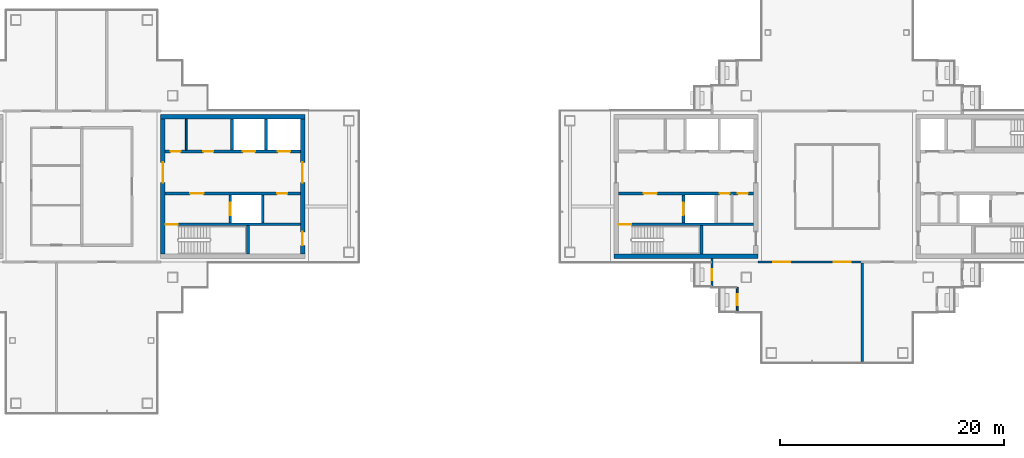
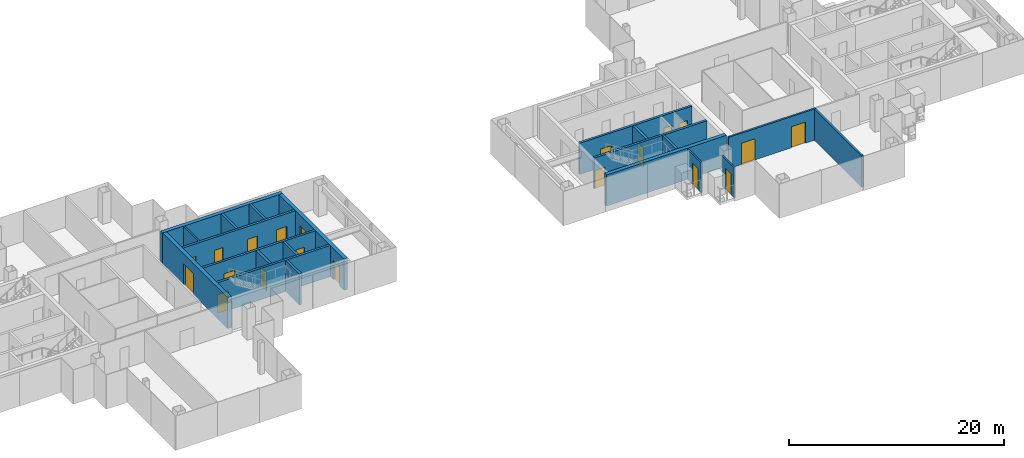
# One storey, part 10 of 16: 21 walls, 20 doors, 20 openings.
"""IFC4 building model written with IfcOpenShell, lengths in metres."""

from ifc_helpers import new_model, si_unit, direction, frame, frame_2d, origin, place, context, subcontext, project, spatial, rectangle, extrude, material, layer, layer_set, type_object, element, fill, save


model = new_model("IFC4")

# Units and contexts
model_context = context("Model", 3, precision=1e-05, world=origin(), true_north=direction((0.0, 1.0)))
body_context = subcontext(model_context, "Body", "Model", "MODEL_VIEW")
ifc_project = project(units=[si_unit("LENGTHUNIT", "METRE"), si_unit("AREAUNIT", "SQUARE_METRE"), si_unit("VOLUMEUNIT", "CUBIC_METRE"), si_unit("PLANEANGLEUNIT", "RADIAN"), si_unit("MASSUNIT", "GRAM", prefix="KILO")], contexts=[model_context])

# Site, building, storey
site_placement = place(None, origin())
site = spatial("IfcSite", under=ifc_project, at=site_placement, CompositionType="ELEMENT")
building_placement = place(site_placement, origin())
building = spatial("IfcBuilding", under=site, at=building_placement, Name="Shamsa Quay Exchange Towers", CompositionType="ELEMENT")
storey_placement = place(building_placement, frame((0.0, 0.0, 242.10009765625)))
storey = spatial("IfcBuildingStorey", under=building, at=storey_placement, Name="L58", CompositionType="ELEMENT", Elevation=242.10009765625)

# Wall, openings, doors
ifc_material_1 = material(Name="Double-leaf gypsum board partition with acoustic insulation")
ifc_layer_1 = layer(ifc_material_1, 0.199951171875)
ifc_layer_set_1 = layer_set([ifc_layer_1], Name="Acoustic partition 200 mm EI 60")
wall_type_1 = type_object("IfcWallType", Name="Acoustic partition 200 mm EI 60", PredefinedType="PARTITIONING", material=ifc_layer_set_1)
wall_1_placement = place(storey_placement, frame((26.699951171875, -6.75, 0.0)))
wall_1 = element("IfcWall", 1, at=wall_1_placement, inside=storey, type_object=wall_type_1, Name="Partition T2-R26-W07", PredefinedType="PARTITIONING", context=body_context, shape_type="SweptSolid", body=[
    extrude(rectangle(XDim=9.400146484375, YDim=0.199951171875, at=frame_2d((4.7001953125, 0.0))), origin(), (0.0, 0.0, 1.0), 3.5498046875),
])
opening_1_placement = place(wall_1_placement, frame((6.75, 0.0, 0.0)))
opening_1 = element("IfcOpeningElement", 2, at=opening_1_placement, cuts=wall_1, Name="Opening T2-R26-D03", PredefinedType="OPENING", context=body_context, shape_type="SweptSolid", body=[
    extrude(rectangle(XDim=1.5, YDim=2.39990234375, at=frame_2d((0.75, 1.199951171875))), frame((0.0, 0.10986328125, 0.0), z_axis=(0.0, -1.0, 0.0), x_axis=(1.0, 0.0, 0.0)), (0.0, 0.0, 1.0), 0.219970703125),
])
opening_2_placement = place(wall_1_placement, frame((1.35009765625, 0.0, 0.0)))
opening_2 = element("IfcOpeningElement", 3, at=opening_2_placement, cuts=wall_1, Name="Opening T2-R26-D05", PredefinedType="OPENING", context=body_context, shape_type="SweptSolid", body=[
    extrude(rectangle(XDim=1.5, YDim=2.39990234375, at=frame_2d((0.75, 1.199951171875))), frame((0.0, 0.10986328125, 0.0), z_axis=(0.0, -1.0, 0.0), x_axis=(1.0, 0.0, 0.0)), (0.0, 0.0, 1.0), 0.219970703125),
])
ifc_material_2 = material(Name="Timber door leaf in a metal frame", Category="wood")
door_type_1 = type_object("IfcDoorType", Name="Door 1500x2400 FD30S pair", OperationType="NOTDEFINED", PredefinedType="DOOR", material=ifc_material_2)
door_1_placement = place(opening_1_placement, origin())
door_1 = element("IfcDoor", 4, at=door_1_placement, inside=storey, type_object=door_type_1, Name="Door T2-R26-D03", OperationType="DOUBLE_DOOR_SINGLE_SWING", OverallHeight=2.39990234375, OverallWidth=1.5, PredefinedType="DOOR", context=body_context, shape_type="SweptSolid", body=[
    extrude(rectangle(XDim=1.5, YDim=2.39990234375, at=frame_2d((0.75, 1.199951171875))), frame((0.0, 0.02490234375, 0.0), z_axis=(0.0, -1.0, 0.0), x_axis=(1.0, 0.0, 0.0)), (0.0, 0.0, 1.0), 0.050048828125),
])
fill(opening_1, door_1)
door_2_placement = place(opening_2_placement, origin())
door_2 = element("IfcDoor", 5, at=door_2_placement, inside=storey, type_object=door_type_1, Name="Door T2-R26-D05", OperationType="DOUBLE_DOOR_SINGLE_SWING", OverallHeight=2.39990234375, OverallWidth=1.5, PredefinedType="DOOR", context=body_context, shape_type="SweptSolid", body=[
    extrude(rectangle(XDim=1.5, YDim=2.39990234375, at=frame_2d((0.75, 1.199951171875))), frame((0.0, 0.02490234375, 0.0), z_axis=(0.0, -1.0, 0.0), x_axis=(1.0, 0.0, 0.0)), (0.0, 0.0, 1.0), 0.050048828125),
])
fill(opening_2, door_2)

# Wall
wall_2_placement = place(storey_placement, frame((36.0, -6.85009765625, 0.0), z_axis=(0.0, 0.0, 1.0), x_axis=(0.0, -1.0, 0.0)))
element("IfcWall", 6, at=wall_2_placement, inside=storey, type_object=wall_type_1, Name="Partition T2-R26-W09", PredefinedType="PARTITIONING", context=body_context, shape_type="SweptSolid", body=[
    extrude(rectangle(XDim=8.804931640625, YDim=0.199951171875, at=frame_2d((4.40234375, 0.0))), origin(), (0.0, 0.0, 1.0), 3.5498046875),
])

# Wall, opening, door
ifc_material_3 = material(Name="Aluminium EN AW-6063 T6, black anodised, with black enamelled glass infill", Category="aluminium")
ifc_layer_2 = layer(ifc_material_3, 0.14990234375)
ifc_layer_set_2 = layer_set([ifc_layer_2], Name="BALCONY DOOR BAY WALL 150")
wall_type_2 = type_object("IfcWallType", Name="BALCONY DOOR BAY WALL 150", PredefinedType="SOLIDWALL", material=ifc_layer_set_2)
wall_3_placement = place(storey_placement, frame((22.574951171875, -9.0, 0.0), z_axis=(0.0, 0.0, 1.0), x_axis=(0.0, 1.0, 0.0)))
wall_3 = element("IfcWall", 7, at=wall_3_placement, inside=storey, type_object=wall_type_2, Name="Door bay T2-PKWN L58", PredefinedType="SOLIDWALL", context=body_context, shape_type="SweptSolid", body=[
    extrude(rectangle(XDim=2.556884765625, YDim=0.14990234375, at=frame_2d((1.2783203125, 0.0))), origin(), (0.0, 0.0, 1.0), 3.449951171875),
])
opening_3_placement = place(wall_3_placement, frame((0.625, 0.0, 0.0)))
opening_3 = element("IfcOpeningElement", 8, at=opening_3_placement, cuts=wall_3, Name="Opening XD389", PredefinedType="OPENING", context=body_context, shape_type="SweptSolid", body=[
    extrude(rectangle(XDim=1.0, YDim=2.39990234375, at=frame_2d((0.5, 1.199951171875))), frame((0.0, 0.0849609375, 0.0), z_axis=(0.0, -1.0, 0.0), x_axis=(1.0, 0.0, 0.0)), (0.0, 0.0, 1.0), 0.169921875),
])
ifc_material_4 = material(Name="Aluminium EN AW-6063 T6, black anodised, with laminated glass leaf", Category="aluminium")
door_type_2 = type_object("IfcDoorType", Name="BALCONY DOOR 1000x2400", OperationType="SINGLE_SWING_LEFT", PredefinedType="DOOR", material=ifc_material_4)
door_3_placement = place(opening_3_placement, origin())
door_3 = element("IfcDoor", 9, at=door_3_placement, inside=storey, type_object=door_type_2, Name="Balcony door T2-PKWN L58", OperationType="SINGLE_SWING_LEFT", OverallHeight=2.39990234375, OverallWidth=1.0, PredefinedType="DOOR", context=body_context, shape_type="SweptSolid", body=[
    extrude(rectangle(XDim=1.0, YDim=2.39990234375, at=frame_2d((0.5, 1.199951171875))), frame((0.0, 0.02490234375, 0.0), z_axis=(0.0, -1.0, 0.0), x_axis=(1.0, 0.0, 0.0)), (0.0, 0.0, 1.0), 0.050048828125),
])
fill(opening_3, door_3)

wall_4_placement = place(storey_placement, frame((24.824951171875, -11.25, 0.0), z_axis=(0.0, 0.0, 1.0), x_axis=(0.0, 1.0, 0.0)))
wall_4 = element("IfcWall", 10, at=wall_4_placement, inside=storey, type_object=wall_type_2, Name="Door bay T2-PKWN L58", PredefinedType="SOLIDWALL", context=body_context, shape_type="SweptSolid", body=[
    extrude(rectangle(XDim=2.25, YDim=0.14990234375, at=frame_2d((1.125, 0.0))), origin(), (0.0, 0.0, 1.0), 3.449951171875),
])
opening_4_placement = place(wall_4_placement, frame((0.625, 0.0, 0.0)))
opening_4 = element("IfcOpeningElement", 11, at=opening_4_placement, cuts=wall_4, Name="Opening XD390", PredefinedType="OPENING", context=body_context, shape_type="SweptSolid", body=[
    extrude(rectangle(XDim=1.0, YDim=2.39990234375, at=frame_2d((0.5, 1.199951171875))), frame((0.0, 0.0849609375, 0.0), z_axis=(0.0, -1.0, 0.0), x_axis=(1.0, 0.0, 0.0)), (0.0, 0.0, 1.0), 0.169921875),
])
door_4_placement = place(opening_4_placement, origin())
door_4 = element("IfcDoor", 12, at=door_4_placement, inside=storey, type_object=door_type_2, Name="Balcony door T2-PKWN L58", OperationType="SINGLE_SWING_RIGHT", OverallHeight=2.39990234375, OverallWidth=1.0, PredefinedType="DOOR", context=body_context, shape_type="SweptSolid", body=[
    extrude(rectangle(XDim=1.0, YDim=2.39990234375, at=frame_2d((0.5, 1.199951171875))), frame((0.0, 0.02490234375, 0.0), z_axis=(0.0, -1.0, 0.0), x_axis=(1.0, 0.0, 0.0)), (0.0, 0.0, 1.0), 0.050048828125),
])
fill(opening_4, door_4)

# Wall
ifc_material_5 = material(Name="Concrete C60/75", Category="concrete")
ifc_layer_3 = layer(ifc_material_5, 0.39990234375)
ifc_layer_set_3 = layer_set([ifc_layer_3], Name="CORE WALL 400 C60/75")
wall_type_3 = type_object("IfcWallType", Name="CORE WALL 400 C60/75", PredefinedType="SHEAR", material=ifc_layer_set_3)
wall_5_placement = place(storey_placement, frame((-26.699951171875, 6.25, 0.0)))
element("IfcWall", 13, at=wall_5_placement, inside=storey, type_object=wall_type_3, Name="Core wall T1A-R26-PN", PredefinedType="SHEAR", context=body_context, shape_type="SweptSolid", body=[
    extrude(rectangle(XDim=12.89990234375, YDim=0.39990234375, at=frame_2d((6.449951171875, 0.0))), origin(), (0.0, 0.0, 1.0), 3.5498046875),
])

# Wall, opening, door
wall_6_placement = place(storey_placement, frame((-26.5, 6.050048828125, 0.0), z_axis=(0.0, 0.0, 1.0), x_axis=(0.0, -1.0, 0.0)))
wall_6 = element("IfcWall", 14, at=wall_6_placement, inside=storey, type_object=wall_type_3, Name="Core wall T1A-R26-PF", PredefinedType="SHEAR", context=body_context, shape_type="SweptSolid", body=[
    extrude(rectangle(XDim=12.10009765625, YDim=0.39990234375, at=frame_2d((6.050048828125, 0.0))), origin(), (0.0, 0.0, 1.0), 3.5498046875),
])
opening_5_placement = place(wall_6_placement, frame((3.89990234375, 0.0, 0.0)))
opening_5 = element("IfcOpeningElement", 15, at=opening_5_placement, cuts=wall_6, Name="Opening T1A-R26-LBD01", PredefinedType="OPENING", context=body_context, shape_type="SweptSolid", body=[
    extrude(rectangle(XDim=1.800048828125, YDim=2.39990234375, at=frame_2d((0.89990234375, 1.199951171875))), frame((0.0, 0.2099609375, 0.0), z_axis=(0.0, -1.0, 0.0), x_axis=(1.0, 0.0, 0.0)), (0.0, 0.0, 1.0), 0.419921875),
])
ifc_material_6 = material(Name="Steel, fire rated", Category="steel")
door_type_3 = type_object("IfcDoorType", Name="LIFT LOBBY DOOR PAIR 1800", OperationType="DOUBLE_DOOR_SINGLE_SWING", PredefinedType="DOOR", material=ifc_material_6)
door_5_placement = place(opening_5_placement, origin())
door_5 = element("IfcDoor", 16, at=door_5_placement, inside=storey, type_object=door_type_3, Name="T1A-R26-LBD01", OperationType="DOUBLE_DOOR_SINGLE_SWING", OverallHeight=2.39990234375, OverallWidth=1.800048828125, PredefinedType="DOOR", context=body_context, shape_type="SweptSolid", body=[
    extrude(rectangle(XDim=1.800048828125, YDim=2.39990234375, at=frame_2d((0.89990234375, 1.199951171875))), frame((0.0, 0.02490234375, 0.0), z_axis=(0.0, -1.0, 0.0), x_axis=(1.0, 0.0, 0.0)), (0.0, 0.0, 1.0), 0.050048828125),
])
fill(opening_5, door_5)

# Wall, openings, doors
wall_7_placement = place(storey_placement, frame((-14.0, 6.050048828125, 0.0), z_axis=(0.0, 0.0, 1.0), x_axis=(0.0, -1.0, 0.0)))
wall_7 = element("IfcWall", 17, at=wall_7_placement, inside=storey, type_object=wall_type_3, Name="Core wall T1A-R26-PB", PredefinedType="SHEAR", context=body_context, shape_type="SweptSolid", body=[
    extrude(rectangle(XDim=12.10009765625, YDim=0.39990234375, at=frame_2d((6.050048828125, 0.0))), origin(), (0.0, 0.0, 1.0), 3.5498046875),
])
opening_6_placement = place(wall_7_placement, frame((10.10009765625, 0.0, 0.0)))
opening_6 = element("IfcOpeningElement", 18, at=opening_6_placement, cuts=wall_7, Name="Opening T1A-R26-RD02", PredefinedType="OPENING", context=body_context, shape_type="SweptSolid", body=[
    extrude(rectangle(XDim=1.199951171875, YDim=2.10009765625, at=frame_2d((0.60009765625, 1.050048828125))), frame((0.0, 0.2099609375, 0.0), z_axis=(0.0, -1.0, 0.0), x_axis=(1.0, 0.0, 0.0)), (0.0, 0.0, 1.0), 0.419921875),
])
opening_7_placement = place(wall_7_placement, frame((3.89990234375, 0.0, 0.0)))
opening_7 = element("IfcOpeningElement", 19, at=opening_7_placement, cuts=wall_7, Name="Opening T1A-R26-LBD03", PredefinedType="OPENING", context=body_context, shape_type="SweptSolid", body=[
    extrude(rectangle(XDim=1.800048828125, YDim=2.39990234375, at=frame_2d((0.89990234375, 1.199951171875))), frame((0.0, 0.2099609375, 0.0), z_axis=(0.0, -1.0, 0.0), x_axis=(1.0, 0.0, 0.0)), (0.0, 0.0, 1.0), 0.419921875),
])
door_6_placement = place(opening_7_placement, origin())
door_6 = element("IfcDoor", 20, at=door_6_placement, inside=storey, type_object=door_type_3, Name="T1A-R26-LBD03", OperationType="DOUBLE_DOOR_SINGLE_SWING", OverallHeight=2.39990234375, OverallWidth=1.800048828125, PredefinedType="DOOR", context=body_context, shape_type="SweptSolid", body=[
    extrude(rectangle(XDim=1.800048828125, YDim=2.39990234375, at=frame_2d((0.89990234375, 1.199951171875))), frame((0.0, 0.02490234375, 0.0), z_axis=(0.0, -1.0, 0.0), x_axis=(1.0, 0.0, 0.0)), (0.0, 0.0, 1.0), 0.050048828125),
])
fill(opening_7, door_6)
door_type_4 = type_object("IfcDoorType", Name="RISER ACCESS DOOR 1200", OperationType="SINGLE_SWING_LEFT", PredefinedType="DOOR", material=ifc_material_6)
door_7_placement = place(opening_6_placement, origin())
door_7 = element("IfcDoor", 21, at=door_7_placement, inside=storey, type_object=door_type_4, Name="T1A-R26-RD02", OperationType="SINGLE_SWING_RIGHT", OverallHeight=2.10009765625, OverallWidth=1.199951171875, PredefinedType="DOOR", context=body_context, shape_type="SweptSolid", body=[
    extrude(rectangle(XDim=1.199951171875, YDim=2.10009765625, at=frame_2d((0.60009765625, 1.050048828125))), frame((0.0, 0.02490234375, 0.0), z_axis=(0.0, -1.0, 0.0), x_axis=(1.0, 0.0, 0.0)), (0.0, 0.0, 1.0), 0.050048828125),
])
fill(opening_6, door_7)

# Walls
wall_8_placement = place(storey_placement, frame((13.800048828125, -6.25, 0.0)))
element("IfcWall", 22, at=wall_8_placement, inside=storey, type_object=wall_type_3, Name="Core wall T2A-R26-PS", PredefinedType="SHEAR", context=body_context, shape_type="SweptSolid", body=[
    extrude(rectangle(XDim=12.89990234375, YDim=0.39990234375, at=frame_2d((6.449951171875, 0.0))), origin(), (0.0, 0.0, 1.0), 3.5498046875),
])
ifc_material_7 = material(Name="Gypsum board on steel studs, EI 60", Category="steel")
ifc_layer_4 = layer(ifc_material_7, 0.14990234375)
ifc_layer_set_4 = layer_set([ifc_layer_4], Name="FIRE PARTITION 150")
wall_type_4 = type_object("IfcWallType", Name="FIRE PARTITION 150", PredefinedType="PARTITIONING", material=ifc_layer_set_4)
wall_9_placement = place(storey_placement, frame((-24.39990234375, 3.25, 0.0), z_axis=(0.0, 0.0, 1.0), x_axis=(0.0, 1.0, 0.0)))
element("IfcWall", 23, at=wall_9_placement, inside=storey, type_object=wall_type_4, Name="Partition T1A-R26-FC0", PredefinedType="PARTITIONING", context=body_context, shape_type="SweptSolid", body=[
    extrude(rectangle(XDim=2.800048828125, YDim=0.14990234375, at=frame_2d((1.39990234375, 0.0))), origin(), (0.0, 0.0, 1.0), 3.5498046875),
])

# Wall, opening, door
ifc_material_8 = material(Name="Concrete C50/60", Category="concrete")
ifc_layer_5 = layer(ifc_material_8, 0.25)
ifc_layer_set_5 = layer_set([ifc_layer_5], Name="SHAFT WALL 250 C50/60")
wall_type_5 = type_object("IfcWallType", Name="SHAFT WALL 250 C50/60", PredefinedType="SHEAR", material=ifc_layer_set_5)
wall_10_placement = place(storey_placement, frame((-14.199951171875, -3.375, 0.0), z_axis=(0.0, 0.0, 1.0), x_axis=(-1.0, 0.0, 0.0)))
wall_10 = element("IfcWall", 24, at=wall_10_placement, inside=storey, type_object=wall_type_5, Name="Shaft wall T1A-R26-STL", PredefinedType="SHEAR", context=body_context, shape_type="SweptSolid", body=[
    extrude(rectangle(XDim=12.10009765625, YDim=0.25, at=frame_2d((6.050048828125, 0.0))), origin(), (0.0, 0.0, 1.0), 3.5498046875),
])
opening_8_placement = place(wall_10_placement, frame((10.949951171875, 0.0, 0.0)))
opening_8 = element("IfcOpeningElement", 25, at=opening_8_placement, cuts=wall_10, Name="Opening T1A-R26-SD04", PredefinedType="OPENING", context=body_context, shape_type="SweptSolid", body=[
    extrude(rectangle(XDim=1.10009765625, YDim=2.10009765625, at=frame_2d((0.550048828125, 1.050048828125))), frame((0.0, 0.135009765625, 0.0), z_axis=(0.0, -1.0, 0.0), x_axis=(1.0, 0.0, 0.0)), (0.0, 0.0, 1.0), 0.27001953125),
])
door_type_5 = type_object("IfcDoorType", Name="STAIR DOOR 1100", OperationType="SINGLE_SWING_LEFT", PredefinedType="DOOR", material=ifc_material_6)
door_8_placement = place(opening_8_placement, origin())
door_8 = element("IfcDoor", 26, at=door_8_placement, inside=storey, type_object=door_type_5, Name="T1A-R26-SD04", OperationType="SINGLE_SWING_RIGHT", OverallHeight=2.10009765625, OverallWidth=1.10009765625, PredefinedType="DOOR", context=body_context, shape_type="SweptSolid", body=[
    extrude(rectangle(XDim=1.10009765625, YDim=2.10009765625, at=frame_2d((0.550048828125, 1.050048828125))), frame((0.0, 0.02490234375, 0.0), z_axis=(0.0, -1.0, 0.0), x_axis=(1.0, 0.0, 0.0)), (0.0, 0.0, 1.0), 0.050048828125),
])
fill(opening_8, door_8)

# Wall
wall_11_placement = place(storey_placement, frame((-18.875, -6.050048828125, 0.0), z_axis=(0.0, 0.0, 1.0), x_axis=(0.0, 1.0, 0.0)))
element("IfcWall", 27, at=wall_11_placement, inside=storey, type_object=wall_type_5, Name="Shaft wall T1A-R26-STF", PredefinedType="SHEAR", context=body_context, shape_type="SweptSolid", body=[
    extrude(rectangle(XDim=2.550048828125, YDim=0.25, at=frame_2d((1.27490234375, 0.0))), origin(), (0.0, 0.0, 1.0), 3.5498046875),
])

# Wall, openings, doors
wall_12_placement = place(storey_placement, frame((-14.199951171875, -0.625, 0.0), z_axis=(0.0, 0.0, 1.0), x_axis=(-1.0, 0.0, 0.0)))
wall_12 = element("IfcWall", 28, at=wall_12_placement, inside=storey, type_object=wall_type_5, Name="Shaft wall T1A-R26-B", PredefinedType="SHEAR", context=body_context, shape_type="SweptSolid", body=[
    extrude(rectangle(XDim=12.10009765625, YDim=0.25, at=frame_2d((6.050048828125, 0.0))), origin(), (0.0, 0.0, 1.0), 3.5498046875),
])
opening_9_placement = place(wall_12_placement, frame((8.64990234375, 0.0, 0.0)))
opening_9 = element("IfcOpeningElement", 29, at=opening_9_placement, cuts=wall_12, Name="Opening T1A-R26-FD05", PredefinedType="OPENING", context=body_context, shape_type="SweptSolid", body=[
    extrude(rectangle(XDim=1.199951171875, YDim=2.10009765625, at=frame_2d((0.60009765625, 1.050048828125))), frame((0.0, 0.135009765625, 0.0), z_axis=(0.0, -1.0, 0.0), x_axis=(1.0, 0.0, 0.0)), (0.0, 0.0, 1.0), 0.27001953125),
])
opening_10_placement = place(wall_12_placement, frame((1.175048828125, 0.0, 0.0)))
opening_10 = element("IfcOpeningElement", 30, at=opening_10_placement, cuts=wall_12, Name="Opening T1A-R26-SV06", PredefinedType="OPENING", context=body_context, shape_type="SweptSolid", body=[
    extrude(rectangle(XDim=0.89990234375, YDim=2.10009765625, at=frame_2d((0.449951171875, 1.050048828125))), frame((0.0, 0.135009765625, 0.0), z_axis=(0.0, -1.0, 0.0), x_axis=(1.0, 0.0, 0.0)), (0.0, 0.0, 1.0), 0.27001953125),
])
door_type_6 = type_object("IfcDoorType", Name="FIRE SERVICE LOBBY DOOR 1200", OperationType="SINGLE_SWING_LEFT", PredefinedType="DOOR", material=ifc_material_6)
door_9_placement = place(opening_9_placement, origin())
door_9 = element("IfcDoor", 31, at=door_9_placement, inside=storey, type_object=door_type_6, Name="T1A-R26-FD05", OperationType="SINGLE_SWING_RIGHT", OverallHeight=2.10009765625, OverallWidth=1.199951171875, PredefinedType="DOOR", context=body_context, shape_type="SweptSolid", body=[
    extrude(rectangle(XDim=1.199951171875, YDim=2.10009765625, at=frame_2d((0.60009765625, 1.050048828125))), frame((0.0, 0.02490234375, 0.0), z_axis=(0.0, -1.0, 0.0), x_axis=(1.0, 0.0, 0.0)), (0.0, 0.0, 1.0), 0.050048828125),
])
fill(opening_9, door_9)
door_type_7 = type_object("IfcDoorType", Name="SERVICE ROOM DOOR 900", OperationType="SINGLE_SWING_LEFT", PredefinedType="DOOR", material=ifc_material_6)
door_10_placement = place(opening_10_placement, origin())
door_10 = element("IfcDoor", 32, at=door_10_placement, inside=storey, type_object=door_type_7, Name="T1A-R26-SV06", OperationType="SINGLE_SWING_LEFT", OverallHeight=2.10009765625, OverallWidth=0.89990234375, PredefinedType="DOOR", context=body_context, shape_type="SweptSolid", body=[
    extrude(rectangle(XDim=0.89990234375, YDim=2.10009765625, at=frame_2d((0.449951171875, 1.050048828125))), frame((0.0, 0.02490234375, 0.0), z_axis=(0.0, -1.0, 0.0), x_axis=(1.0, 0.0, 0.0)), (0.0, 0.0, 1.0), 0.050048828125),
])
fill(opening_10, door_10)

# Wall, opening, door
wall_13_placement = place(storey_placement, frame((-20.47509765625, -3.25, 0.0), z_axis=(0.0, 0.0, 1.0), x_axis=(0.0, 1.0, 0.0)))
wall_13 = element("IfcWall", 33, at=wall_13_placement, inside=storey, type_object=wall_type_5, Name="Shaft wall T1A-R26-FFF", PredefinedType="SHEAR", context=body_context, shape_type="SweptSolid", body=[
    extrude(rectangle(XDim=2.5, YDim=0.25, at=frame_2d((1.25, 0.0))), origin(), (0.0, 0.0, 1.0), 3.5498046875),
])
opening_11_placement = place(wall_13_placement, frame((0.699951171875, 0.0, 0.0)))
opening_11 = element("IfcOpeningElement", 34, at=opening_11_placement, cuts=wall_13, Name="Opening T1A-R26-LDF07", PredefinedType="OPENING", context=body_context, shape_type="SweptSolid", body=[
    extrude(rectangle(XDim=1.10009765625, YDim=2.10009765625, at=frame_2d((0.550048828125, 1.050048828125))), frame((0.0, 0.135009765625, 0.0), z_axis=(0.0, -1.0, 0.0), x_axis=(1.0, 0.0, 0.0)), (0.0, 0.0, 1.0), 0.27001953125),
])
door_type_8 = type_object("IfcDoorType", Name="FIRE SERVICE LANDING DOOR 1100", OperationType="SLIDING_TO_LEFT", PredefinedType="DOOR", material=ifc_material_6)
door_11_placement = place(opening_11_placement, origin())
door_11 = element("IfcDoor", 35, at=door_11_placement, inside=storey, type_object=door_type_8, Name="T1A-R26-LDF07", OperationType="SLIDING_TO_LEFT", OverallHeight=2.10009765625, OverallWidth=1.10009765625, PredefinedType="DOOR", context=body_context, shape_type="SweptSolid", body=[
    extrude(rectangle(XDim=1.10009765625, YDim=2.10009765625, at=frame_2d((0.550048828125, 1.050048828125))), frame((0.0, 0.02490234375, 0.0), z_axis=(0.0, -1.0, 0.0), x_axis=(1.0, 0.0, 0.0)), (0.0, 0.0, 1.0), 0.050048828125),
])
fill(opening_11, door_11)

# Wall
wall_14_placement = place(storey_placement, frame((-17.574951171875, -3.25, 0.0), z_axis=(0.0, 0.0, 1.0), x_axis=(0.0, 1.0, 0.0)))
element("IfcWall", 36, at=wall_14_placement, inside=storey, type_object=wall_type_5, Name="Shaft wall T1A-R26-FFB", PredefinedType="SHEAR", context=body_context, shape_type="SweptSolid", body=[
    extrude(rectangle(XDim=2.5, YDim=0.25, at=frame_2d((1.25, 0.0))), origin(), (0.0, 0.0, 1.0), 3.5498046875),
])

# Wall, openings, doors
wall_15_placement = place(storey_placement, frame((-26.300048828125, 3.125, 0.0)))
wall_15 = element("IfcWall", 37, at=wall_15_placement, inside=storey, type_object=wall_type_5, Name="Shaft wall T1A-R26-N", PredefinedType="SHEAR", context=body_context, shape_type="SweptSolid", body=[
    extrude(rectangle(XDim=12.10009765625, YDim=0.25, at=frame_2d((6.050048828125, 0.0))), origin(), (0.0, 0.0, 1.0), 3.5498046875),
])
opening_12_placement = place(wall_15_placement, frame((6.949951171875, 0.0, 0.0)))
opening_12 = element("IfcOpeningElement", 38, at=opening_12_placement, cuts=wall_15, Name="Opening T1A-R26-LD08", PredefinedType="OPENING", context=body_context, shape_type="SweptSolid", body=[
    extrude(rectangle(XDim=1.10009765625, YDim=2.10009765625, at=frame_2d((0.550048828125, 1.050048828125))), frame((0.0, 0.135009765625, 0.0), z_axis=(0.0, -1.0, 0.0), x_axis=(1.0, 0.0, 0.0)), (0.0, 0.0, 1.0), 0.27001953125),
])
opening_13_placement = place(wall_15_placement, frame((10.074951171875, 0.0, 0.0)))
opening_13 = element("IfcOpeningElement", 39, at=opening_13_placement, cuts=wall_15, Name="Opening T1A-R26-LD09", PredefinedType="OPENING", context=body_context, shape_type="SweptSolid", body=[
    extrude(rectangle(XDim=1.10009765625, YDim=2.10009765625, at=frame_2d((0.550048828125, 1.050048828125))), frame((0.0, 0.135009765625, 0.0), z_axis=(0.0, -1.0, 0.0), x_axis=(1.0, 0.0, 0.0)), (0.0, 0.0, 1.0), 0.27001953125),
])
opening_14_placement = place(wall_15_placement, frame((0.5, 0.0, 0.0)))
opening_14 = element("IfcOpeningElement", 40, at=opening_14_placement, cuts=wall_15, Name="Opening T1A-R26-SV10", PredefinedType="OPENING", context=body_context, shape_type="SweptSolid", body=[
    extrude(rectangle(XDim=0.89990234375, YDim=2.10009765625, at=frame_2d((0.449951171875, 1.050048828125))), frame((0.0, 0.135009765625, 0.0), z_axis=(0.0, -1.0, 0.0), x_axis=(1.0, 0.0, 0.0)), (0.0, 0.0, 1.0), 0.27001953125),
])
opening_15_placement = place(wall_15_placement, frame((3.425048828125, 0.0, 0.0)))
opening_15 = element("IfcOpeningElement", 41, at=opening_15_placement, cuts=wall_15, Name="Opening T1A-R26-SV11", PredefinedType="OPENING", context=body_context, shape_type="SweptSolid", body=[
    extrude(rectangle(XDim=0.89990234375, YDim=2.10009765625, at=frame_2d((0.449951171875, 1.050048828125))), frame((0.0, 0.135009765625, 0.0), z_axis=(0.0, -1.0, 0.0), x_axis=(1.0, 0.0, 0.0)), (0.0, 0.0, 1.0), 0.27001953125),
])
door_type_9 = type_object("IfcDoorType", Name="LANDING DOOR 1100", OperationType="SLIDING_TO_LEFT", PredefinedType="DOOR", material=ifc_material_6)
door_12_placement = place(opening_12_placement, origin())
door_12 = element("IfcDoor", 42, at=door_12_placement, inside=storey, type_object=door_type_9, Name="T1A-R26-LD08", OperationType="SLIDING_TO_LEFT", OverallHeight=2.10009765625, OverallWidth=1.10009765625, PredefinedType="DOOR", context=body_context, shape_type="SweptSolid", body=[
    extrude(rectangle(XDim=1.10009765625, YDim=2.10009765625, at=frame_2d((0.550048828125, 1.050048828125))), frame((0.0, 0.02490234375, 0.0), z_axis=(0.0, -1.0, 0.0), x_axis=(1.0, 0.0, 0.0)), (0.0, 0.0, 1.0), 0.050048828125),
])
fill(opening_12, door_12)
door_13_placement = place(opening_13_placement, origin())
door_13 = element("IfcDoor", 43, at=door_13_placement, inside=storey, type_object=door_type_9, Name="T1A-R26-LD09", OperationType="SLIDING_TO_LEFT", OverallHeight=2.10009765625, OverallWidth=1.10009765625, PredefinedType="DOOR", context=body_context, shape_type="SweptSolid", body=[
    extrude(rectangle(XDim=1.10009765625, YDim=2.10009765625, at=frame_2d((0.550048828125, 1.050048828125))), frame((0.0, 0.02490234375, 0.0), z_axis=(0.0, -1.0, 0.0), x_axis=(1.0, 0.0, 0.0)), (0.0, 0.0, 1.0), 0.050048828125),
])
fill(opening_13, door_13)
door_14_placement = place(opening_14_placement, origin())
door_14 = element("IfcDoor", 44, at=door_14_placement, inside=storey, type_object=door_type_7, Name="T1A-R26-SV10", OperationType="SINGLE_SWING_LEFT", OverallHeight=2.10009765625, OverallWidth=0.89990234375, PredefinedType="DOOR", context=body_context, shape_type="SweptSolid", body=[
    extrude(rectangle(XDim=0.89990234375, YDim=2.10009765625, at=frame_2d((0.449951171875, 1.050048828125))), frame((0.0, 0.02490234375, 0.0), z_axis=(0.0, -1.0, 0.0), x_axis=(1.0, 0.0, 0.0)), (0.0, 0.0, 1.0), 0.050048828125),
])
fill(opening_14, door_14)
door_15_placement = place(opening_15_placement, origin())
door_15 = element("IfcDoor", 45, at=door_15_placement, inside=storey, type_object=door_type_7, Name="T1A-R26-SV11", OperationType="SINGLE_SWING_LEFT", OverallHeight=2.10009765625, OverallWidth=0.89990234375, PredefinedType="DOOR", context=body_context, shape_type="SweptSolid", body=[
    extrude(rectangle(XDim=0.89990234375, YDim=2.10009765625, at=frame_2d((0.449951171875, 1.050048828125))), frame((0.0, 0.02490234375, 0.0), z_axis=(0.0, -1.0, 0.0), x_axis=(1.0, 0.0, 0.0)), (0.0, 0.0, 1.0), 0.050048828125),
])
fill(opening_15, door_15)

# Walls
for number, where, z_axis, x_axis, name in (
    (46, (-20.324951171875, 3.25, 0.0), (0.0, 0.0, 1.0), (0.0, 1.0, 0.0), "Shaft wall T1A-R26-D1"),
    (47, (-17.27490234375, 3.25, 0.0), (0.0, 0.0, 1.0), (0.0, 1.0, 0.0), "Shaft wall T1A-R26-D2"),
):
    element("IfcWall", number, at=place(storey_placement, frame(where, z_axis=z_axis, x_axis=x_axis)), inside=storey, type_object=wall_type_5, Name=name, PredefinedType="SHEAR", context=body_context, shape_type="SweptSolid", body=[
        extrude(rectangle(XDim=2.800048828125, YDim=0.25, at=frame_2d((1.39990234375, 0.0))), origin(), (0.0, 0.0, 1.0), 3.5498046875),
    ])

# Wall, opening, door
wall_16_placement = place(storey_placement, frame((26.300048828125, -3.375, 0.0), z_axis=(0.0, 0.0, 1.0), x_axis=(-1.0, 0.0, 0.0)))
wall_16 = element("IfcWall", 48, at=wall_16_placement, inside=storey, type_object=wall_type_5, Name="Shaft wall T2A-R26-STL", PredefinedType="SHEAR", context=body_context, shape_type="SweptSolid", body=[
    extrude(rectangle(XDim=12.10009765625, YDim=0.25, at=frame_2d((6.050048828125, 0.0))), origin(), (0.0, 0.0, 1.0), 3.5498046875),
])
opening_16_placement = place(wall_16_placement, frame((10.949951171875, 0.0, 0.0)))
opening_16 = element("IfcOpeningElement", 49, at=opening_16_placement, cuts=wall_16, Name="Opening T2A-R26-SD04", PredefinedType="OPENING", context=body_context, shape_type="SweptSolid", body=[
    extrude(rectangle(XDim=1.10009765625, YDim=2.10009765625, at=frame_2d((0.550048828125, 1.050048828125))), frame((0.0, 0.135009765625, 0.0), z_axis=(0.0, -1.0, 0.0), x_axis=(1.0, 0.0, 0.0)), (0.0, 0.0, 1.0), 0.27001953125),
])
door_16_placement = place(opening_16_placement, origin())
door_16 = element("IfcDoor", 50, at=door_16_placement, inside=storey, type_object=door_type_5, Name="T2A-R26-SD04", OperationType="SINGLE_SWING_RIGHT", OverallHeight=2.10009765625, OverallWidth=1.10009765625, PredefinedType="DOOR", context=body_context, shape_type="SweptSolid", body=[
    extrude(rectangle(XDim=1.10009765625, YDim=2.10009765625, at=frame_2d((0.550048828125, 1.050048828125))), frame((0.0, 0.02490234375, 0.0), z_axis=(0.0, -1.0, 0.0), x_axis=(1.0, 0.0, 0.0)), (0.0, 0.0, 1.0), 0.050048828125),
])
fill(opening_16, door_16)

# Wall
wall_17_placement = place(storey_placement, frame((21.625, -6.050048828125, 0.0), z_axis=(0.0, 0.0, 1.0), x_axis=(0.0, 1.0, 0.0)))
element("IfcWall", 51, at=wall_17_placement, inside=storey, type_object=wall_type_5, Name="Shaft wall T2A-R26-STF", PredefinedType="SHEAR", context=body_context, shape_type="SweptSolid", body=[
    extrude(rectangle(XDim=2.550048828125, YDim=0.25, at=frame_2d((1.27490234375, 0.0))), origin(), (0.0, 0.0, 1.0), 3.5498046875),
])

# Wall, openings, doors
wall_18_placement = place(storey_placement, frame((26.300048828125, -0.625, 0.0), z_axis=(0.0, 0.0, 1.0), x_axis=(-1.0, 0.0, 0.0)))
wall_18 = element("IfcWall", 52, at=wall_18_placement, inside=storey, type_object=wall_type_5, Name="Shaft wall T2A-R26-B", PredefinedType="SHEAR", context=body_context, shape_type="SweptSolid", body=[
    extrude(rectangle(XDim=12.10009765625, YDim=0.25, at=frame_2d((6.050048828125, 0.0))), origin(), (0.0, 0.0, 1.0), 3.5498046875),
])
opening_17_placement = place(wall_18_placement, frame((8.64990234375, 0.0, 0.0)))
opening_17 = element("IfcOpeningElement", 53, at=opening_17_placement, cuts=wall_18, Name="Opening T2A-R26-FD05", PredefinedType="OPENING", context=body_context, shape_type="SweptSolid", body=[
    extrude(rectangle(XDim=1.199951171875, YDim=2.10009765625, at=frame_2d((0.60009765625, 1.050048828125))), frame((0.0, 0.135009765625, 0.0), z_axis=(0.0, -1.0, 0.0), x_axis=(1.0, 0.0, 0.0)), (0.0, 0.0, 1.0), 0.27001953125),
])
opening_18_placement = place(wall_18_placement, frame((2.14990234375, 0.0, 0.0)))
opening_18 = element("IfcOpeningElement", 54, at=opening_18_placement, cuts=wall_18, Name="Opening T2A-R26-SV06", PredefinedType="OPENING", context=body_context, shape_type="SweptSolid", body=[
    extrude(rectangle(XDim=0.89990234375, YDim=2.10009765625, at=frame_2d((0.449951171875, 1.050048828125))), frame((0.0, 0.135009765625, 0.0), z_axis=(0.0, -1.0, 0.0), x_axis=(1.0, 0.0, 0.0)), (0.0, 0.0, 1.0), 0.27001953125),
])
opening_19_placement = place(wall_18_placement, frame((0.52490234375, 0.0, 0.0)))
opening_19 = element("IfcOpeningElement", 55, at=opening_19_placement, cuts=wall_18, Name="Opening T2A-R26-SV07", PredefinedType="OPENING", context=body_context, shape_type="SweptSolid", body=[
    extrude(rectangle(XDim=0.89990234375, YDim=2.10009765625, at=frame_2d((0.449951171875, 1.050048828125))), frame((0.0, 0.135009765625, 0.0), z_axis=(0.0, -1.0, 0.0), x_axis=(1.0, 0.0, 0.0)), (0.0, 0.0, 1.0), 0.27001953125),
])
door_17_placement = place(opening_17_placement, origin())
door_17 = element("IfcDoor", 56, at=door_17_placement, inside=storey, type_object=door_type_6, Name="T2A-R26-FD05", OperationType="SINGLE_SWING_RIGHT", OverallHeight=2.10009765625, OverallWidth=1.199951171875, PredefinedType="DOOR", context=body_context, shape_type="SweptSolid", body=[
    extrude(rectangle(XDim=1.199951171875, YDim=2.10009765625, at=frame_2d((0.60009765625, 1.050048828125))), frame((0.0, 0.02490234375, 0.0), z_axis=(0.0, -1.0, 0.0), x_axis=(1.0, 0.0, 0.0)), (0.0, 0.0, 1.0), 0.050048828125),
])
fill(opening_17, door_17)
door_18_placement = place(opening_18_placement, origin())
door_18 = element("IfcDoor", 57, at=door_18_placement, inside=storey, type_object=door_type_7, Name="T2A-R26-SV06", OperationType="SINGLE_SWING_LEFT", OverallHeight=2.10009765625, OverallWidth=0.89990234375, PredefinedType="DOOR", context=body_context, shape_type="SweptSolid", body=[
    extrude(rectangle(XDim=0.89990234375, YDim=2.10009765625, at=frame_2d((0.449951171875, 1.050048828125))), frame((0.0, 0.02490234375, 0.0), z_axis=(0.0, -1.0, 0.0), x_axis=(1.0, 0.0, 0.0)), (0.0, 0.0, 1.0), 0.050048828125),
])
fill(opening_18, door_18)
door_19_placement = place(opening_19_placement, origin())
door_19 = element("IfcDoor", 58, at=door_19_placement, inside=storey, type_object=door_type_7, Name="T2A-R26-SV07", OperationType="SINGLE_SWING_LEFT", OverallHeight=2.10009765625, OverallWidth=0.89990234375, PredefinedType="DOOR", context=body_context, shape_type="SweptSolid", body=[
    extrude(rectangle(XDim=0.89990234375, YDim=2.10009765625, at=frame_2d((0.449951171875, 1.050048828125))), frame((0.0, 0.02490234375, 0.0), z_axis=(0.0, -1.0, 0.0), x_axis=(1.0, 0.0, 0.0)), (0.0, 0.0, 1.0), 0.050048828125),
])
fill(opening_19, door_19)

# Wall, opening, door
wall_19_placement = place(storey_placement, frame((20.02490234375, -3.25, 0.0), z_axis=(0.0, 0.0, 1.0), x_axis=(0.0, 1.0, 0.0)))
wall_19 = element("IfcWall", 59, at=wall_19_placement, inside=storey, type_object=wall_type_5, Name="Shaft wall T2A-R26-FFF", PredefinedType="SHEAR", context=body_context, shape_type="SweptSolid", body=[
    extrude(rectangle(XDim=2.5, YDim=0.25, at=frame_2d((1.25, 0.0))), origin(), (0.0, 0.0, 1.0), 3.5498046875),
])
opening_20_placement = place(wall_19_placement, frame((0.699951171875, 0.0, 0.0)))
opening_20 = element("IfcOpeningElement", 60, at=opening_20_placement, cuts=wall_19, Name="Opening T2A-R26-LDF08", PredefinedType="OPENING", context=body_context, shape_type="SweptSolid", body=[
    extrude(rectangle(XDim=1.10009765625, YDim=2.10009765625, at=frame_2d((0.550048828125, 1.050048828125))), frame((0.0, 0.135009765625, 0.0), z_axis=(0.0, -1.0, 0.0), x_axis=(1.0, 0.0, 0.0)), (0.0, 0.0, 1.0), 0.27001953125),
])
door_20_placement = place(opening_20_placement, origin())
door_20 = element("IfcDoor", 61, at=door_20_placement, inside=storey, type_object=door_type_8, Name="T2A-R26-LDF08", OperationType="SLIDING_TO_LEFT", OverallHeight=2.10009765625, OverallWidth=1.10009765625, PredefinedType="DOOR", context=body_context, shape_type="SweptSolid", body=[
    extrude(rectangle(XDim=1.10009765625, YDim=2.10009765625, at=frame_2d((0.550048828125, 1.050048828125))), frame((0.0, 0.02490234375, 0.0), z_axis=(0.0, -1.0, 0.0), x_axis=(1.0, 0.0, 0.0)), (0.0, 0.0, 1.0), 0.050048828125),
])
fill(opening_20, door_20)

save(model, "model.ifc")
